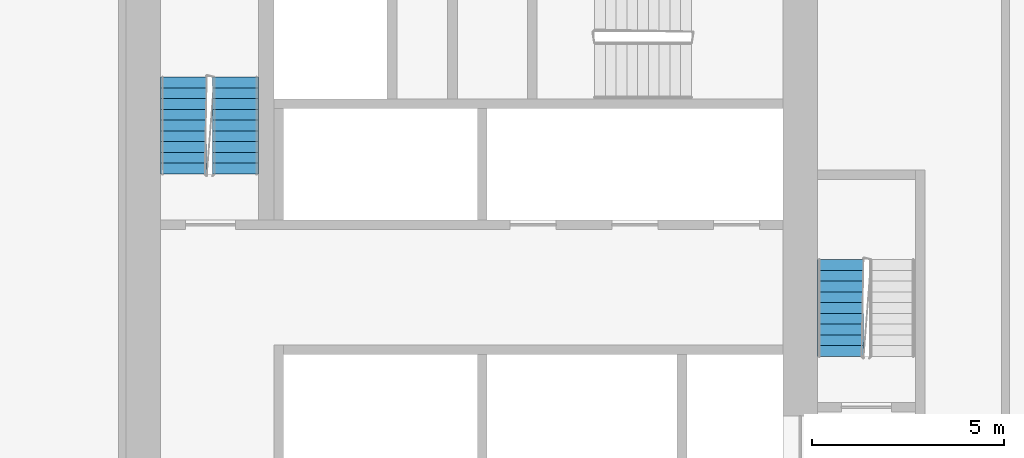
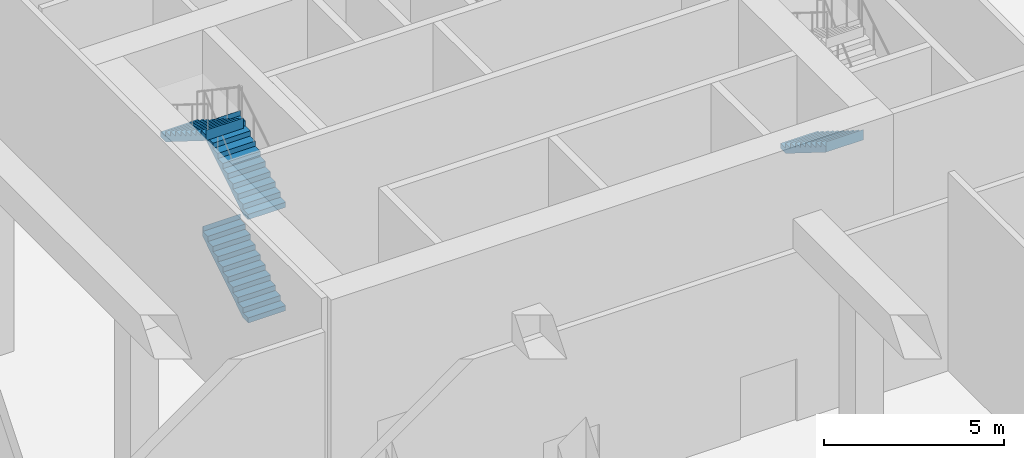
# One storey, part 19 of 23: 4 stair flights, 2 elements without a shape of their own.
"""IFC4 building model written with IfcOpenShell, lengths in metres."""

from ifc_helpers import new_model, si_unit, direction, frame, origin, place, context, subcontext, project, spatial, faceted_brep, material, type_object, element, aggregate, save


model = new_model("IFC4")

# Units and contexts
model_context = context("Model", 3, precision=1e-05, world=origin(), true_north=direction((0.0, 1.0)))
body_context = subcontext(model_context, "Body", "Model", "MODEL_VIEW")
ifc_project = project(units=[si_unit("LENGTHUNIT", "METRE"), si_unit("AREAUNIT", "SQUARE_METRE"), si_unit("VOLUMEUNIT", "CUBIC_METRE"), si_unit("PLANEANGLEUNIT", "RADIAN"), si_unit("MASSUNIT", "GRAM", prefix="KILO")], contexts=[model_context])

# Site, building, storey
site_placement = place(None, origin())
site = spatial("IfcSite", under=ifc_project, at=site_placement, CompositionType="ELEMENT")
building_placement = place(site_placement, origin())
building = spatial("IfcBuilding", under=site, at=building_placement, Name="Kajstack Hotel Tower", CompositionType="ELEMENT")
storey_placement = place(building_placement, frame((0.0, 0.0, 53.0)))
storey = spatial("IfcBuildingStorey", under=building, at=storey_placement, Name="L08", CompositionType="ELEMENT", Elevation=53.0)

# Stair, stair flight
ifc_material = material(Name="Concrete C40/50", Category="concrete")
stair_type = type_object("IfcStairType", Name="Exit stair 1200", PredefinedType="HALF_TURN_STAIR", material=ifc_material)
stair_1_placement = place(storey_placement, origin())
stair_1 = element("IfcStair", 1, at=stair_1_placement, inside=storey, type_object=stair_type, Name="L08 stair E1", PredefinedType="HALF_TURN_STAIR")
stair_flight_type = type_object("IfcStairFlightType", Name="Exit stair flight 1200", PredefinedType="STRAIGHT", material=ifc_material)
stair_flight_1_placement = place(storey_placement, frame((32.10009765625, 7.77001953125, 1.75), z_axis=(0.0, 0.0, 1.0), x_axis=(0.0, -1.0, 0.0)))
stair_flight_1 = element("IfcStairFlight", 2, at=stair_flight_1_placement, type_object=stair_flight_type, Name="E1 flight 2", NumberOfRisers=10, NumberOfTreads=9, PredefinedType="STRAIGHT", RiserHeight=0.175, TreadLength=0.28, context=body_context, shape_type="Brep", body=[
    faceted_brep([(0.283447265625, -0.60009765625, 0.0), (2.5205078125, -0.60009765625, 1.398193359375), (2.5205078125, -0.60009765625, 1.75), (2.52001953125, -0.60009765625, 1.75), (2.52001953125, -0.60009765625, 1.574951171875), (2.239990234375, -0.60009765625, 1.574951171875), (2.239990234375, -0.60009765625, 1.39990234375), (1.9599609375, -0.60009765625, 1.39990234375), (1.9599609375, -0.60009765625, 1.22509765625), (1.679931640625, -0.60009765625, 1.22509765625), (1.679931640625, -0.60009765625, 1.050048828125), (1.39990234375, -0.60009765625, 1.050048828125), (1.39990234375, -0.60009765625, 0.875), (1.1201171875, -0.60009765625, 0.875), (1.1201171875, -0.60009765625, 0.699951171875), (0.840087890625, -0.60009765625, 0.699951171875), (0.840087890625, -0.60009765625, 0.52490234375), (0.56005859375, -0.60009765625, 0.52490234375), (0.56005859375, -0.60009765625, 0.35009765625), (0.280029296875, -0.60009765625, 0.35009765625), (0.280029296875, -0.60009765625, 0.175048828125), (-0.00048828125, -0.60009765625, 0.175048828125), (-0.00048828125, -0.60009765625, 0.0), (-0.00048828125, 0.60009765625, 0.0), (-0.00048828125, 0.60009765625, 0.175048828125), (0.280029296875, 0.60009765625, 0.175048828125), (0.280029296875, 0.60009765625, 0.35009765625), (0.56005859375, 0.60009765625, 0.35009765625), (0.56005859375, 0.60009765625, 0.52490234375), (0.840087890625, 0.60009765625, 0.52490234375), (0.840087890625, 0.60009765625, 0.699951171875), (1.1201171875, 0.60009765625, 0.699951171875), (1.1201171875, 0.60009765625, 0.875), (1.39990234375, 0.60009765625, 0.875), (1.39990234375, 0.60009765625, 1.050048828125), (1.679931640625, 0.60009765625, 1.050048828125), (1.679931640625, 0.60009765625, 1.22509765625), (1.9599609375, 0.60009765625, 1.22509765625), (1.9599609375, 0.60009765625, 1.39990234375), (2.239990234375, 0.60009765625, 1.39990234375), (2.239990234375, 0.60009765625, 1.574951171875), (2.52001953125, 0.60009765625, 1.574951171875), (2.52001953125, 0.60009765625, 1.75), (2.5205078125, 0.60009765625, 1.75), (2.5205078125, 0.60009765625, 1.398193359375), (0.283447265625, 0.60009765625, 0.0), (-0.00048828125, -0.300048828125, 0.175048828125), (-0.00048828125, 0.0, 0.175048828125), (-0.00048828125, 0.300048828125, 0.175048828125), (-0.00048828125, 0.300048828125, 0.0), (-0.00048828125, 0.0, 0.0), (-0.00048828125, -0.300048828125, 0.0), (0.280029296875, -0.300048828125, 0.175048828125), (0.280029296875, 0.0, 0.175048828125), (0.280029296875, 0.300048828125, 0.175048828125), (0.280029296875, -0.300048828125, 0.35009765625), (0.280029296875, 0.0, 0.35009765625), (0.280029296875, 0.300048828125, 0.35009765625), (0.56005859375, -0.300048828125, 0.35009765625), (0.56005859375, 0.0, 0.35009765625), (0.56005859375, 0.300048828125, 0.35009765625), (0.56005859375, -0.300048828125, 0.52490234375), (0.56005859375, 0.0, 0.52490234375), (0.56005859375, 0.300048828125, 0.52490234375), (0.840087890625, -0.300048828125, 0.52490234375), (0.840087890625, 0.0, 0.52490234375), (0.840087890625, 0.300048828125, 0.52490234375), (0.840087890625, -0.300048828125, 0.699951171875), (0.840087890625, 0.0, 0.699951171875), (0.840087890625, 0.300048828125, 0.699951171875), (1.1201171875, -0.300048828125, 0.699951171875), (1.1201171875, 0.0, 0.699951171875), (1.1201171875, 0.300048828125, 0.699951171875), (1.1201171875, -0.300048828125, 0.875), (1.1201171875, 0.0, 0.875), (1.1201171875, 0.300048828125, 0.875), (1.39990234375, -0.300048828125, 0.875), (1.39990234375, 0.0, 0.875), (1.39990234375, 0.300048828125, 0.875), (1.39990234375, -0.300048828125, 1.050048828125), (1.39990234375, 0.0, 1.050048828125), (1.39990234375, 0.300048828125, 1.050048828125), (1.679931640625, -0.300048828125, 1.050048828125), (1.679931640625, 0.0, 1.050048828125), (1.679931640625, 0.300048828125, 1.050048828125), (1.679931640625, -0.300048828125, 1.22509765625), (1.679931640625, 0.0, 1.22509765625), (1.679931640625, 0.300048828125, 1.22509765625), (1.9599609375, -0.300048828125, 1.22509765625), (1.9599609375, 0.0, 1.22509765625), (1.9599609375, 0.300048828125, 1.22509765625), (1.9599609375, -0.300048828125, 1.39990234375), (1.9599609375, 0.0, 1.39990234375), (1.9599609375, 0.300048828125, 1.39990234375), (2.239990234375, -0.300048828125, 1.39990234375), (2.239990234375, 0.0, 1.39990234375), (2.239990234375, 0.300048828125, 1.39990234375), (2.239990234375, -0.300048828125, 1.574951171875), (2.239990234375, 0.0, 1.574951171875), (2.239990234375, 0.300048828125, 1.574951171875), (2.52001953125, -0.300048828125, 1.574951171875), (2.52001953125, 0.0, 1.574951171875), (2.52001953125, 0.300048828125, 1.574951171875), (2.52001953125, -0.300048828125, 1.75), (2.52001953125, 0.0, 1.75), (2.52001953125, 0.300048828125, 1.75), (2.5205078125, -0.300048828125, 1.75), (2.5205078125, 0.0, 1.75), (2.5205078125, 0.300048828125, 1.75), (2.5205078125, -0.300048828125, 1.398193359375), (2.5205078125, 0.0, 1.398193359375), (2.5205078125, 0.300048828125, 1.398193359375), (0.283447265625, -0.300048828125, 0.0), (0.283447265625, 0.0, 0.0), (0.283447265625, 0.300048828125, 0.0)], [[[0, 1, 2, 3, 4, 5, 6, 7, 8, 9, 10, 11, 12, 13, 14, 15, 16, 17, 18, 19, 20, 21, 22]], [[23, 24, 25, 26, 27, 28, 29, 30, 31, 32, 33, 34, 35, 36, 37, 38, 39, 40, 41, 42, 43, 44, 45]], [[21, 46, 47, 48, 24, 23, 49, 50, 51, 22]], [[20, 52, 53, 54, 25, 24, 48, 47, 46, 21]], [[19, 55, 56, 57, 26, 25, 54, 53, 52, 20]], [[18, 58, 59, 60, 27, 26, 57, 56, 55, 19]], [[17, 61, 62, 63, 28, 27, 60, 59, 58, 18]], [[16, 64, 65, 66, 29, 28, 63, 62, 61, 17]], [[15, 67, 68, 69, 30, 29, 66, 65, 64, 16]], [[14, 70, 71, 72, 31, 30, 69, 68, 67, 15]], [[13, 73, 74, 75, 32, 31, 72, 71, 70, 14]], [[12, 76, 77, 78, 33, 32, 75, 74, 73, 13]], [[11, 79, 80, 81, 34, 33, 78, 77, 76, 12]], [[10, 82, 83, 84, 35, 34, 81, 80, 79, 11]], [[9, 85, 86, 87, 36, 35, 84, 83, 82, 10]], [[8, 88, 89, 90, 37, 36, 87, 86, 85, 9]], [[7, 91, 92, 93, 38, 37, 90, 89, 88, 8]], [[6, 94, 95, 96, 39, 38, 93, 92, 91, 7]], [[5, 97, 98, 99, 40, 39, 96, 95, 94, 6]], [[4, 100, 101, 102, 41, 40, 99, 98, 97, 5]], [[3, 103, 104, 105, 42, 41, 102, 101, 100, 4]], [[2, 106, 107, 108, 43, 42, 105, 104, 103, 3]], [[1, 109, 110, 111, 44, 43, 108, 107, 106, 2]], [[0, 112, 113, 114, 45, 44, 111, 110, 109, 1]], [[22, 51, 50, 49, 23, 45, 114, 113, 112, 0]]]),
])
aggregate(stair_1, [stair_flight_1])

# Stair, stair flights
stair_2_placement = place(storey_placement, origin())
stair_2 = element("IfcStair", 3, at=stair_2_placement, inside=storey, type_object=stair_type, Name="L08 stair E2", PredefinedType="HALF_TURN_STAIR")
stair_flight_2_placement = place(storey_placement, frame((16.35009765625, 10.0, 0.0), z_axis=(0.0, 0.0, 1.0), x_axis=(0.0, 1.0, 0.0)))
stair_flight_2 = element("IfcStairFlight", 4, at=stair_flight_2_placement, type_object=stair_flight_type, Name="E2 flight 1", NumberOfRisers=10, NumberOfTreads=9, PredefinedType="STRAIGHT", RiserHeight=0.175, TreadLength=0.28, context=body_context, shape_type="Brep", body=[
    faceted_brep([(0.283447265625, -0.60009765625, 0.0), (2.5205078125, -0.60009765625, 1.398193359375), (2.5205078125, -0.60009765625, 1.75), (2.52001953125, -0.60009765625, 1.75), (2.52001953125, -0.60009765625, 1.574951171875), (2.239990234375, -0.60009765625, 1.574951171875), (2.239990234375, -0.60009765625, 1.39990234375), (1.9599609375, -0.60009765625, 1.39990234375), (1.9599609375, -0.60009765625, 1.22509765625), (1.679931640625, -0.60009765625, 1.22509765625), (1.679931640625, -0.60009765625, 1.050048828125), (1.39990234375, -0.60009765625, 1.050048828125), (1.39990234375, -0.60009765625, 0.875), (1.1201171875, -0.60009765625, 0.875), (1.1201171875, -0.60009765625, 0.699951171875), (0.840087890625, -0.60009765625, 0.699951171875), (0.840087890625, -0.60009765625, 0.52490234375), (0.56005859375, -0.60009765625, 0.52490234375), (0.56005859375, -0.60009765625, 0.35009765625), (0.280029296875, -0.60009765625, 0.35009765625), (0.280029296875, -0.60009765625, 0.175048828125), (-0.00048828125, -0.60009765625, 0.175048828125), (-0.00048828125, -0.60009765625, 0.0), (-0.00048828125, 0.60009765625, 0.0), (-0.00048828125, 0.60009765625, 0.175048828125), (0.280029296875, 0.60009765625, 0.175048828125), (0.280029296875, 0.60009765625, 0.35009765625), (0.56005859375, 0.60009765625, 0.35009765625), (0.56005859375, 0.60009765625, 0.52490234375), (0.840087890625, 0.60009765625, 0.52490234375), (0.840087890625, 0.60009765625, 0.699951171875), (1.1201171875, 0.60009765625, 0.699951171875), (1.1201171875, 0.60009765625, 0.875), (1.39990234375, 0.60009765625, 0.875), (1.39990234375, 0.60009765625, 1.050048828125), (1.679931640625, 0.60009765625, 1.050048828125), (1.679931640625, 0.60009765625, 1.22509765625), (1.9599609375, 0.60009765625, 1.22509765625), (1.9599609375, 0.60009765625, 1.39990234375), (2.239990234375, 0.60009765625, 1.39990234375), (2.239990234375, 0.60009765625, 1.574951171875), (2.52001953125, 0.60009765625, 1.574951171875), (2.52001953125, 0.60009765625, 1.75), (2.5205078125, 0.60009765625, 1.75), (2.5205078125, 0.60009765625, 1.398193359375), (0.283447265625, 0.60009765625, 0.0), (-0.00048828125, -0.300048828125, 0.175048828125), (-0.00048828125, 0.0, 0.175048828125), (-0.00048828125, 0.300048828125, 0.175048828125), (-0.00048828125, 0.300048828125, 0.0), (-0.00048828125, 0.0, 0.0), (-0.00048828125, -0.300048828125, 0.0), (0.280029296875, -0.300048828125, 0.175048828125), (0.280029296875, 0.0, 0.175048828125), (0.280029296875, 0.300048828125, 0.175048828125), (0.280029296875, -0.300048828125, 0.35009765625), (0.280029296875, 0.0, 0.35009765625), (0.280029296875, 0.300048828125, 0.35009765625), (0.56005859375, -0.300048828125, 0.35009765625), (0.56005859375, 0.0, 0.35009765625), (0.56005859375, 0.300048828125, 0.35009765625), (0.56005859375, -0.300048828125, 0.52490234375), (0.56005859375, 0.0, 0.52490234375), (0.56005859375, 0.300048828125, 0.52490234375), (0.840087890625, -0.300048828125, 0.52490234375), (0.840087890625, 0.0, 0.52490234375), (0.840087890625, 0.300048828125, 0.52490234375), (0.840087890625, -0.300048828125, 0.699951171875), (0.840087890625, 0.0, 0.699951171875), (0.840087890625, 0.300048828125, 0.699951171875), (1.1201171875, -0.300048828125, 0.699951171875), (1.1201171875, 0.0, 0.699951171875), (1.1201171875, 0.300048828125, 0.699951171875), (1.1201171875, -0.300048828125, 0.875), (1.1201171875, 0.0, 0.875), (1.1201171875, 0.300048828125, 0.875), (1.39990234375, -0.300048828125, 0.875), (1.39990234375, 0.0, 0.875), (1.39990234375, 0.300048828125, 0.875), (1.39990234375, -0.300048828125, 1.050048828125), (1.39990234375, 0.0, 1.050048828125), (1.39990234375, 0.300048828125, 1.050048828125), (1.679931640625, -0.300048828125, 1.050048828125), (1.679931640625, 0.0, 1.050048828125), (1.679931640625, 0.300048828125, 1.050048828125), (1.679931640625, -0.300048828125, 1.22509765625), (1.679931640625, 0.0, 1.22509765625), (1.679931640625, 0.300048828125, 1.22509765625), (1.9599609375, -0.300048828125, 1.22509765625), (1.9599609375, 0.0, 1.22509765625), (1.9599609375, 0.300048828125, 1.22509765625), (1.9599609375, -0.300048828125, 1.39990234375), (1.9599609375, 0.0, 1.39990234375), (1.9599609375, 0.300048828125, 1.39990234375), (2.239990234375, -0.300048828125, 1.39990234375), (2.239990234375, 0.0, 1.39990234375), (2.239990234375, 0.300048828125, 1.39990234375), (2.239990234375, -0.300048828125, 1.574951171875), (2.239990234375, 0.0, 1.574951171875), (2.239990234375, 0.300048828125, 1.574951171875), (2.52001953125, -0.300048828125, 1.574951171875), (2.52001953125, 0.0, 1.574951171875), (2.52001953125, 0.300048828125, 1.574951171875), (2.52001953125, -0.300048828125, 1.75), (2.52001953125, 0.0, 1.75), (2.52001953125, 0.300048828125, 1.75), (2.5205078125, -0.300048828125, 1.75), (2.5205078125, 0.0, 1.75), (2.5205078125, 0.300048828125, 1.75), (2.5205078125, -0.300048828125, 1.398193359375), (2.5205078125, 0.0, 1.398193359375), (2.5205078125, 0.300048828125, 1.398193359375), (0.283447265625, -0.300048828125, 0.0), (0.283447265625, 0.0, 0.0), (0.283447265625, 0.300048828125, 0.0)], [[[0, 1, 2, 3, 4, 5, 6, 7, 8, 9, 10, 11, 12, 13, 14, 15, 16, 17, 18, 19, 20, 21, 22]], [[23, 24, 25, 26, 27, 28, 29, 30, 31, 32, 33, 34, 35, 36, 37, 38, 39, 40, 41, 42, 43, 44, 45]], [[21, 46, 47, 48, 24, 23, 49, 50, 51, 22]], [[20, 52, 53, 54, 25, 24, 48, 47, 46, 21]], [[19, 55, 56, 57, 26, 25, 54, 53, 52, 20]], [[18, 58, 59, 60, 27, 26, 57, 56, 55, 19]], [[17, 61, 62, 63, 28, 27, 60, 59, 58, 18]], [[16, 64, 65, 66, 29, 28, 63, 62, 61, 17]], [[15, 67, 68, 69, 30, 29, 66, 65, 64, 16]], [[14, 70, 71, 72, 31, 30, 69, 68, 67, 15]], [[13, 73, 74, 75, 32, 31, 72, 71, 70, 14]], [[12, 76, 77, 78, 33, 32, 75, 74, 73, 13]], [[11, 79, 80, 81, 34, 33, 78, 77, 76, 12]], [[10, 82, 83, 84, 35, 34, 81, 80, 79, 11]], [[9, 85, 86, 87, 36, 35, 84, 83, 82, 10]], [[8, 88, 89, 90, 37, 36, 87, 86, 85, 9]], [[7, 91, 92, 93, 38, 37, 90, 89, 88, 8]], [[6, 94, 95, 96, 39, 38, 93, 92, 91, 7]], [[5, 97, 98, 99, 40, 39, 96, 95, 94, 6]], [[4, 100, 101, 102, 41, 40, 99, 98, 97, 5]], [[3, 103, 104, 105, 42, 41, 102, 101, 100, 4]], [[2, 106, 107, 108, 43, 42, 105, 104, 103, 3]], [[1, 109, 110, 111, 44, 43, 108, 107, 106, 2]], [[0, 112, 113, 114, 45, 44, 111, 110, 109, 1]], [[22, 51, 50, 49, 23, 45, 114, 113, 112, 0]]]),
])
stair_flight_3_placement = place(storey_placement, frame((16.35009765625, 10.0, 3.5), z_axis=(0.0, 0.0, 1.0), x_axis=(0.0, 1.0, 0.0)))
stair_flight_3 = element("IfcStairFlight", 5, at=stair_flight_3_placement, type_object=stair_flight_type, Name="E2 flight 3", NumberOfRisers=10, NumberOfTreads=9, PredefinedType="STRAIGHT", RiserHeight=0.175, TreadLength=0.28, context=body_context, shape_type="Brep", body=[
    faceted_brep([(0.283447265625, -0.60009765625, 0.0), (2.5205078125, -0.60009765625, 1.398193359375), (2.5205078125, -0.60009765625, 1.75), (2.52001953125, -0.60009765625, 1.75), (2.52001953125, -0.60009765625, 1.574951171875), (2.239990234375, -0.60009765625, 1.574951171875), (2.239990234375, -0.60009765625, 1.39990234375), (1.9599609375, -0.60009765625, 1.39990234375), (1.9599609375, -0.60009765625, 1.22509765625), (1.679931640625, -0.60009765625, 1.22509765625), (1.679931640625, -0.60009765625, 1.050048828125), (1.39990234375, -0.60009765625, 1.050048828125), (1.39990234375, -0.60009765625, 0.875), (1.1201171875, -0.60009765625, 0.875), (1.1201171875, -0.60009765625, 0.699951171875), (0.840087890625, -0.60009765625, 0.699951171875), (0.840087890625, -0.60009765625, 0.52490234375), (0.56005859375, -0.60009765625, 0.52490234375), (0.56005859375, -0.60009765625, 0.35009765625), (0.280029296875, -0.60009765625, 0.35009765625), (0.280029296875, -0.60009765625, 0.175048828125), (-0.00048828125, -0.60009765625, 0.175048828125), (-0.00048828125, -0.60009765625, 0.0), (-0.00048828125, 0.60009765625, 0.0), (-0.00048828125, 0.60009765625, 0.175048828125), (0.280029296875, 0.60009765625, 0.175048828125), (0.280029296875, 0.60009765625, 0.35009765625), (0.56005859375, 0.60009765625, 0.35009765625), (0.56005859375, 0.60009765625, 0.52490234375), (0.840087890625, 0.60009765625, 0.52490234375), (0.840087890625, 0.60009765625, 0.699951171875), (1.1201171875, 0.60009765625, 0.699951171875), (1.1201171875, 0.60009765625, 0.875), (1.39990234375, 0.60009765625, 0.875), (1.39990234375, 0.60009765625, 1.050048828125), (1.679931640625, 0.60009765625, 1.050048828125), (1.679931640625, 0.60009765625, 1.22509765625), (1.9599609375, 0.60009765625, 1.22509765625), (1.9599609375, 0.60009765625, 1.39990234375), (2.239990234375, 0.60009765625, 1.39990234375), (2.239990234375, 0.60009765625, 1.574951171875), (2.52001953125, 0.60009765625, 1.574951171875), (2.52001953125, 0.60009765625, 1.75), (2.5205078125, 0.60009765625, 1.75), (2.5205078125, 0.60009765625, 1.398193359375), (0.283447265625, 0.60009765625, 0.0), (-0.00048828125, -0.300048828125, 0.175048828125), (-0.00048828125, 0.0, 0.175048828125), (-0.00048828125, 0.300048828125, 0.175048828125), (-0.00048828125, 0.300048828125, 0.0), (-0.00048828125, 0.0, 0.0), (-0.00048828125, -0.300048828125, 0.0), (0.280029296875, -0.300048828125, 0.175048828125), (0.280029296875, 0.0, 0.175048828125), (0.280029296875, 0.300048828125, 0.175048828125), (0.280029296875, -0.300048828125, 0.35009765625), (0.280029296875, 0.0, 0.35009765625), (0.280029296875, 0.300048828125, 0.35009765625), (0.56005859375, -0.300048828125, 0.35009765625), (0.56005859375, 0.0, 0.35009765625), (0.56005859375, 0.300048828125, 0.35009765625), (0.56005859375, -0.300048828125, 0.52490234375), (0.56005859375, 0.0, 0.52490234375), (0.56005859375, 0.300048828125, 0.52490234375), (0.840087890625, -0.300048828125, 0.52490234375), (0.840087890625, 0.0, 0.52490234375), (0.840087890625, 0.300048828125, 0.52490234375), (0.840087890625, -0.300048828125, 0.699951171875), (0.840087890625, 0.0, 0.699951171875), (0.840087890625, 0.300048828125, 0.699951171875), (1.1201171875, -0.300048828125, 0.699951171875), (1.1201171875, 0.0, 0.699951171875), (1.1201171875, 0.300048828125, 0.699951171875), (1.1201171875, -0.300048828125, 0.875), (1.1201171875, 0.0, 0.875), (1.1201171875, 0.300048828125, 0.875), (1.39990234375, -0.300048828125, 0.875), (1.39990234375, 0.0, 0.875), (1.39990234375, 0.300048828125, 0.875), (1.39990234375, -0.300048828125, 1.050048828125), (1.39990234375, 0.0, 1.050048828125), (1.39990234375, 0.300048828125, 1.050048828125), (1.679931640625, -0.300048828125, 1.050048828125), (1.679931640625, 0.0, 1.050048828125), (1.679931640625, 0.300048828125, 1.050048828125), (1.679931640625, -0.300048828125, 1.22509765625), (1.679931640625, 0.0, 1.22509765625), (1.679931640625, 0.300048828125, 1.22509765625), (1.9599609375, -0.300048828125, 1.22509765625), (1.9599609375, 0.0, 1.22509765625), (1.9599609375, 0.300048828125, 1.22509765625), (1.9599609375, -0.300048828125, 1.39990234375), (1.9599609375, 0.0, 1.39990234375), (1.9599609375, 0.300048828125, 1.39990234375), (2.239990234375, -0.300048828125, 1.39990234375), (2.239990234375, 0.0, 1.39990234375), (2.239990234375, 0.300048828125, 1.39990234375), (2.239990234375, -0.300048828125, 1.574951171875), (2.239990234375, 0.0, 1.574951171875), (2.239990234375, 0.300048828125, 1.574951171875), (2.52001953125, -0.300048828125, 1.574951171875), (2.52001953125, 0.0, 1.574951171875), (2.52001953125, 0.300048828125, 1.574951171875), (2.52001953125, -0.300048828125, 1.75), (2.52001953125, 0.0, 1.75), (2.52001953125, 0.300048828125, 1.75), (2.5205078125, -0.300048828125, 1.75), (2.5205078125, 0.0, 1.75), (2.5205078125, 0.300048828125, 1.75), (2.5205078125, -0.300048828125, 1.398193359375), (2.5205078125, 0.0, 1.398193359375), (2.5205078125, 0.300048828125, 1.398193359375), (0.283447265625, -0.300048828125, 0.0), (0.283447265625, 0.0, 0.0), (0.283447265625, 0.300048828125, 0.0)], [[[0, 1, 2, 3, 4, 5, 6, 7, 8, 9, 10, 11, 12, 13, 14, 15, 16, 17, 18, 19, 20, 21, 22]], [[23, 24, 25, 26, 27, 28, 29, 30, 31, 32, 33, 34, 35, 36, 37, 38, 39, 40, 41, 42, 43, 44, 45]], [[21, 46, 47, 48, 24, 23, 49, 50, 51, 22]], [[20, 52, 53, 54, 25, 24, 48, 47, 46, 21]], [[19, 55, 56, 57, 26, 25, 54, 53, 52, 20]], [[18, 58, 59, 60, 27, 26, 57, 56, 55, 19]], [[17, 61, 62, 63, 28, 27, 60, 59, 58, 18]], [[16, 64, 65, 66, 29, 28, 63, 62, 61, 17]], [[15, 67, 68, 69, 30, 29, 66, 65, 64, 16]], [[14, 70, 71, 72, 31, 30, 69, 68, 67, 15]], [[13, 73, 74, 75, 32, 31, 72, 71, 70, 14]], [[12, 76, 77, 78, 33, 32, 75, 74, 73, 13]], [[11, 79, 80, 81, 34, 33, 78, 77, 76, 12]], [[10, 82, 83, 84, 35, 34, 81, 80, 79, 11]], [[9, 85, 86, 87, 36, 35, 84, 83, 82, 10]], [[8, 88, 89, 90, 37, 36, 87, 86, 85, 9]], [[7, 91, 92, 93, 38, 37, 90, 89, 88, 8]], [[6, 94, 95, 96, 39, 38, 93, 92, 91, 7]], [[5, 97, 98, 99, 40, 39, 96, 95, 94, 6]], [[4, 100, 101, 102, 41, 40, 99, 98, 97, 5]], [[3, 103, 104, 105, 42, 41, 102, 101, 100, 4]], [[2, 106, 107, 108, 43, 42, 105, 104, 103, 3]], [[1, 109, 110, 111, 44, 43, 108, 107, 106, 2]], [[0, 112, 113, 114, 45, 44, 111, 110, 109, 1]], [[22, 51, 50, 49, 23, 45, 114, 113, 112, 0]]]),
])
stair_flight_4_placement = place(storey_placement, frame((15.0, 12.52001953125, 5.25), z_axis=(0.0, 0.0, 1.0), x_axis=(0.0, -1.0, 0.0)))
stair_flight_4 = element("IfcStairFlight", 6, at=stair_flight_4_placement, type_object=stair_flight_type, Name="E2 flight 4", NumberOfRisers=10, NumberOfTreads=9, PredefinedType="STRAIGHT", RiserHeight=0.175, TreadLength=0.28, context=body_context, shape_type="Brep", body=[
    faceted_brep([(0.283447265625, -0.60009765625, 0.0), (2.5205078125, -0.60009765625, 1.398193359375), (2.5205078125, -0.60009765625, 1.75), (2.52001953125, -0.60009765625, 1.75), (2.52001953125, -0.60009765625, 1.574951171875), (2.239990234375, -0.60009765625, 1.574951171875), (2.239990234375, -0.60009765625, 1.39990234375), (1.9599609375, -0.60009765625, 1.39990234375), (1.9599609375, -0.60009765625, 1.22509765625), (1.679931640625, -0.60009765625, 1.22509765625), (1.679931640625, -0.60009765625, 1.050048828125), (1.39990234375, -0.60009765625, 1.050048828125), (1.39990234375, -0.60009765625, 0.875), (1.1201171875, -0.60009765625, 0.875), (1.1201171875, -0.60009765625, 0.699951171875), (0.840087890625, -0.60009765625, 0.699951171875), (0.840087890625, -0.60009765625, 0.52490234375), (0.56005859375, -0.60009765625, 0.52490234375), (0.56005859375, -0.60009765625, 0.35009765625), (0.280029296875, -0.60009765625, 0.35009765625), (0.280029296875, -0.60009765625, 0.175048828125), (-0.00048828125, -0.60009765625, 0.175048828125), (-0.00048828125, -0.60009765625, 0.0), (-0.00048828125, 0.60009765625, 0.0), (-0.00048828125, 0.60009765625, 0.175048828125), (0.280029296875, 0.60009765625, 0.175048828125), (0.280029296875, 0.60009765625, 0.35009765625), (0.56005859375, 0.60009765625, 0.35009765625), (0.56005859375, 0.60009765625, 0.52490234375), (0.840087890625, 0.60009765625, 0.52490234375), (0.840087890625, 0.60009765625, 0.699951171875), (1.1201171875, 0.60009765625, 0.699951171875), (1.1201171875, 0.60009765625, 0.875), (1.39990234375, 0.60009765625, 0.875), (1.39990234375, 0.60009765625, 1.050048828125), (1.679931640625, 0.60009765625, 1.050048828125), (1.679931640625, 0.60009765625, 1.22509765625), (1.9599609375, 0.60009765625, 1.22509765625), (1.9599609375, 0.60009765625, 1.39990234375), (2.239990234375, 0.60009765625, 1.39990234375), (2.239990234375, 0.60009765625, 1.574951171875), (2.52001953125, 0.60009765625, 1.574951171875), (2.52001953125, 0.60009765625, 1.75), (2.5205078125, 0.60009765625, 1.75), (2.5205078125, 0.60009765625, 1.398193359375), (0.283447265625, 0.60009765625, 0.0), (-0.00048828125, -0.300048828125, 0.175048828125), (-0.00048828125, 0.0, 0.175048828125), (-0.00048828125, 0.300048828125, 0.175048828125), (-0.00048828125, 0.300048828125, 0.0), (-0.00048828125, 0.0, 0.0), (-0.00048828125, -0.300048828125, 0.0), (0.280029296875, -0.300048828125, 0.175048828125), (0.280029296875, 0.0, 0.175048828125), (0.280029296875, 0.300048828125, 0.175048828125), (0.280029296875, -0.300048828125, 0.35009765625), (0.280029296875, 0.0, 0.35009765625), (0.280029296875, 0.300048828125, 0.35009765625), (0.56005859375, -0.300048828125, 0.35009765625), (0.56005859375, 0.0, 0.35009765625), (0.56005859375, 0.300048828125, 0.35009765625), (0.56005859375, -0.300048828125, 0.52490234375), (0.56005859375, 0.0, 0.52490234375), (0.56005859375, 0.300048828125, 0.52490234375), (0.840087890625, -0.300048828125, 0.52490234375), (0.840087890625, 0.0, 0.52490234375), (0.840087890625, 0.300048828125, 0.52490234375), (0.840087890625, -0.300048828125, 0.699951171875), (0.840087890625, 0.0, 0.699951171875), (0.840087890625, 0.300048828125, 0.699951171875), (1.1201171875, -0.300048828125, 0.699951171875), (1.1201171875, 0.0, 0.699951171875), (1.1201171875, 0.300048828125, 0.699951171875), (1.1201171875, -0.300048828125, 0.875), (1.1201171875, 0.0, 0.875), (1.1201171875, 0.300048828125, 0.875), (1.39990234375, -0.300048828125, 0.875), (1.39990234375, 0.0, 0.875), (1.39990234375, 0.300048828125, 0.875), (1.39990234375, -0.300048828125, 1.050048828125), (1.39990234375, 0.0, 1.050048828125), (1.39990234375, 0.300048828125, 1.050048828125), (1.679931640625, -0.300048828125, 1.050048828125), (1.679931640625, 0.0, 1.050048828125), (1.679931640625, 0.300048828125, 1.050048828125), (1.679931640625, -0.300048828125, 1.22509765625), (1.679931640625, 0.0, 1.22509765625), (1.679931640625, 0.300048828125, 1.22509765625), (1.9599609375, -0.300048828125, 1.22509765625), (1.9599609375, 0.0, 1.22509765625), (1.9599609375, 0.300048828125, 1.22509765625), (1.9599609375, -0.300048828125, 1.39990234375), (1.9599609375, 0.0, 1.39990234375), (1.9599609375, 0.300048828125, 1.39990234375), (2.239990234375, -0.300048828125, 1.39990234375), (2.239990234375, 0.0, 1.39990234375), (2.239990234375, 0.300048828125, 1.39990234375), (2.239990234375, -0.300048828125, 1.574951171875), (2.239990234375, 0.0, 1.574951171875), (2.239990234375, 0.300048828125, 1.574951171875), (2.52001953125, -0.300048828125, 1.574951171875), (2.52001953125, 0.0, 1.574951171875), (2.52001953125, 0.300048828125, 1.574951171875), (2.52001953125, -0.300048828125, 1.75), (2.52001953125, 0.0, 1.75), (2.52001953125, 0.300048828125, 1.75), (2.5205078125, -0.300048828125, 1.75), (2.5205078125, 0.0, 1.75), (2.5205078125, 0.300048828125, 1.75), (2.5205078125, -0.300048828125, 1.398193359375), (2.5205078125, 0.0, 1.398193359375), (2.5205078125, 0.300048828125, 1.398193359375), (0.283447265625, -0.300048828125, 0.0), (0.283447265625, 0.0, 0.0), (0.283447265625, 0.300048828125, 0.0)], [[[0, 1, 2, 3, 4, 5, 6, 7, 8, 9, 10, 11, 12, 13, 14, 15, 16, 17, 18, 19, 20, 21, 22]], [[23, 24, 25, 26, 27, 28, 29, 30, 31, 32, 33, 34, 35, 36, 37, 38, 39, 40, 41, 42, 43, 44, 45]], [[21, 46, 47, 48, 24, 23, 49, 50, 51, 22]], [[20, 52, 53, 54, 25, 24, 48, 47, 46, 21]], [[19, 55, 56, 57, 26, 25, 54, 53, 52, 20]], [[18, 58, 59, 60, 27, 26, 57, 56, 55, 19]], [[17, 61, 62, 63, 28, 27, 60, 59, 58, 18]], [[16, 64, 65, 66, 29, 28, 63, 62, 61, 17]], [[15, 67, 68, 69, 30, 29, 66, 65, 64, 16]], [[14, 70, 71, 72, 31, 30, 69, 68, 67, 15]], [[13, 73, 74, 75, 32, 31, 72, 71, 70, 14]], [[12, 76, 77, 78, 33, 32, 75, 74, 73, 13]], [[11, 79, 80, 81, 34, 33, 78, 77, 76, 12]], [[10, 82, 83, 84, 35, 34, 81, 80, 79, 11]], [[9, 85, 86, 87, 36, 35, 84, 83, 82, 10]], [[8, 88, 89, 90, 37, 36, 87, 86, 85, 9]], [[7, 91, 92, 93, 38, 37, 90, 89, 88, 8]], [[6, 94, 95, 96, 39, 38, 93, 92, 91, 7]], [[5, 97, 98, 99, 40, 39, 96, 95, 94, 6]], [[4, 100, 101, 102, 41, 40, 99, 98, 97, 5]], [[3, 103, 104, 105, 42, 41, 102, 101, 100, 4]], [[2, 106, 107, 108, 43, 42, 105, 104, 103, 3]], [[1, 109, 110, 111, 44, 43, 108, 107, 106, 2]], [[0, 112, 113, 114, 45, 44, 111, 110, 109, 1]], [[22, 51, 50, 49, 23, 45, 114, 113, 112, 0]]]),
])
aggregate(stair_2, [stair_flight_2, stair_flight_3, stair_flight_4])

save(model, "model.ifc")
